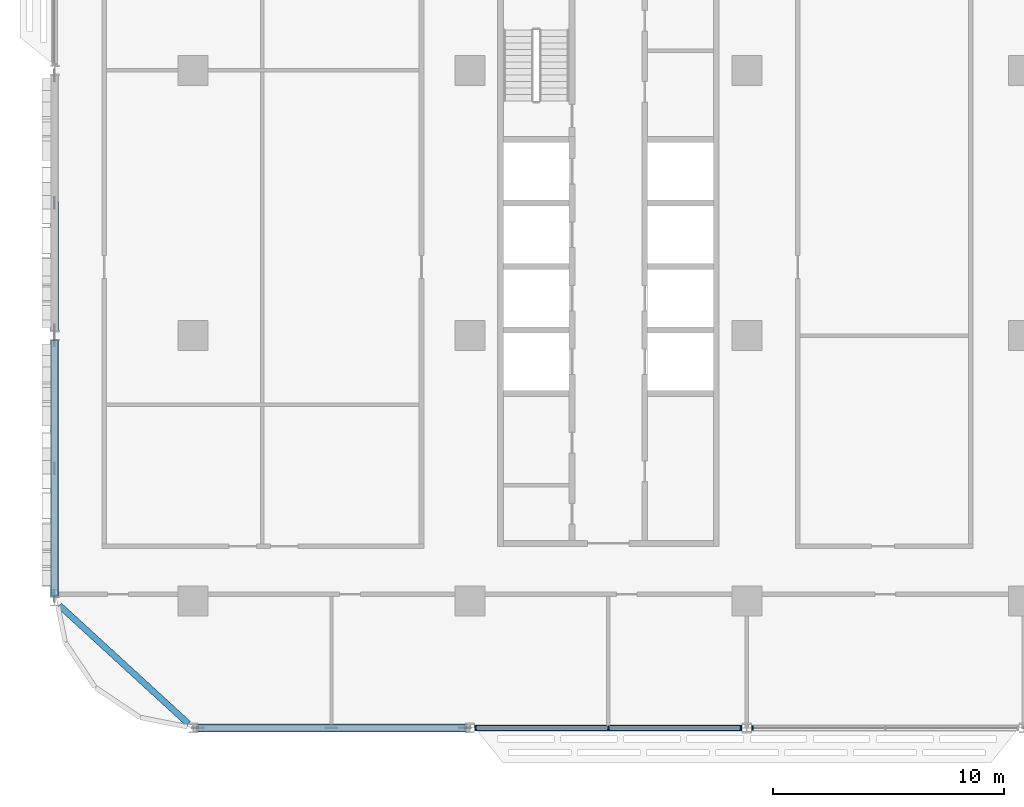
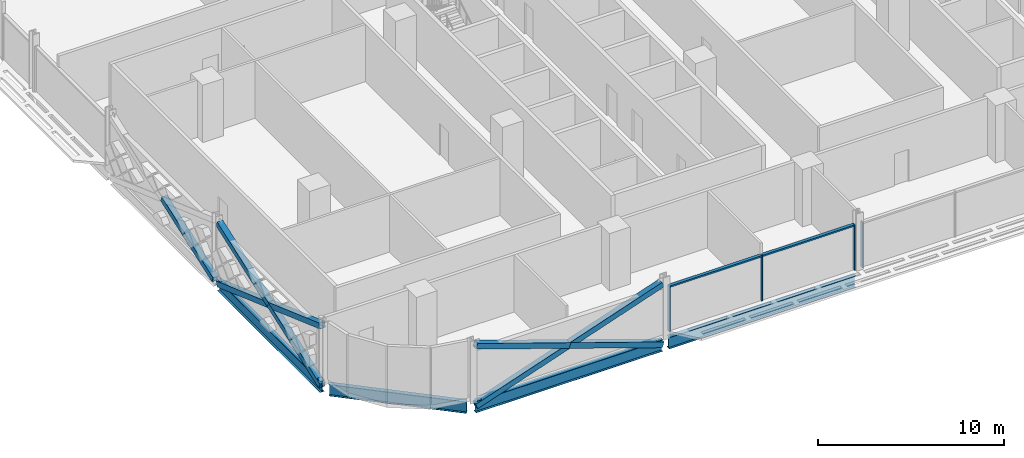
# One storey, part 3 of 28: 13 members, 4 beams, 2 elements without a shape of their own.
"""IFC4 building model written with IfcOpenShell, lengths in metres."""

from ifc_helpers import new_model, si_unit, direction, frame, origin, origin_2d, place, context, subcontext, project, spatial, rectangle, hollow_rectangle, i_section, extrude, material, material_profile, profile_set, type_object, element, aggregate, save


model = new_model("IFC4")

# Units and contexts
model_context = context("Model", 3, precision=1e-05, world=origin(), true_north=direction((0.0, 1.0)))
body_context = subcontext(model_context, "Body", "Model", "MODEL_VIEW")
ifc_project = project(units=[si_unit("LENGTHUNIT", "METRE"), si_unit("AREAUNIT", "SQUARE_METRE"), si_unit("VOLUMEUNIT", "CUBIC_METRE"), si_unit("PLANEANGLEUNIT", "RADIAN"), si_unit("MASSUNIT", "GRAM", prefix="KILO")], contexts=[model_context])

# Site, building, storey
site_placement = place(None, origin())
site = spatial("IfcSite", under=ifc_project, at=site_placement, CompositionType="ELEMENT")
building_placement = place(site_placement, origin())
building = spatial("IfcBuilding", under=site, at=building_placement, Name="Mahtab Terrace Research Tower", CompositionType="ELEMENT")
storey_placement = place(building_placement, frame((0.0, 0.0, 134.300048828125)))
storey = spatial("IfcBuildingStorey", under=building, at=storey_placement, Name="L31", CompositionType="ELEMENT", Elevation=134.300048828125)

# Members
ifc_material_1 = material(Name="Steel ASTM A500 Gr C", Category="steel")
ifc_material_profile_1 = material_profile(ifc_material_1, hollow_rectangle(XDim=0.355712890625, YDim=0.355712890625, WallThickness=0.01904296875, at=origin_2d()), Name="HSS14X14X3/4")
ifc_profile_set_1 = profile_set([ifc_material_profile_1], Name="Steel ASTM A500 Gr C")
member_type_1 = type_object("IfcMemberType", Name="HSS 14x14x3/4 brace XB141434", PredefinedType="BRACE", material=ifc_profile_set_1)
member_1_placement = place(storey_placement, frame((-48.0, 0.217041015625, -0.64111328125), z_axis=(0.0, 0.941925134484, 0.335822931061), x_axis=(-1.0, 0.0, 0.0)))
element("IfcMember", 1, at=member_1_placement, inside=storey, type_object=member_type_1, Name="Exoskeleton brace L31 11 b1", PredefinedType="BRACE", context=body_context, shape_type="SweptSolid", body=[
    extrude(hollow_rectangle(XDim=0.355712890625, YDim=0.355712890625, WallThickness=0.01904296875, at=origin_2d()), origin(), (0.0, 0.0, 1.0), 5.8740234375),
])
member_2_placement = place(storey_placement, frame((-48.0, -0.217041015625, -0.64111328125), z_axis=(0.0, -0.941925134484, 0.335822931061), x_axis=(1.0, 0.0, 0.0)))
element("IfcMember", 2, at=member_2_placement, inside=storey, type_object=member_type_1, Name="Exoskeleton brace L31 12 a", PredefinedType="BRACE", context=body_context, shape_type="SweptSolid", body=[
    extrude(hollow_rectangle(XDim=0.355712890625, YDim=0.355712890625, WallThickness=0.01904296875, at=origin_2d()), origin(), (0.0, 0.0, 1.0), 11.748291015625),
])
for number, where, z_axis, x_axis, name in (
    (3, (-48.0, -11.282958984375, -0.64111328125), (0.0, 0.941925134484, 0.335822931061), (-1.0, 0.0, 0.0), "Exoskeleton brace L31 12 b1"),
    (4, (-48.0, -5.75, 1.33154296875), (0.0, 0.941925134484, 0.335822931061), (-1.0, 0.0, 0.0), "Exoskeleton brace L31 12 b2"),
):
    element("IfcMember", number, at=place(storey_placement, frame(where, z_axis=z_axis, x_axis=x_axis)), inside=storey, type_object=member_type_1, Name=name, PredefinedType="BRACE", context=body_context, shape_type="SweptSolid", body=[
        extrude(hollow_rectangle(XDim=0.355712890625, YDim=0.355712890625, WallThickness=0.01904296875, at=origin_2d()), origin(), (0.0, 0.0, 1.0), 5.8740234375),
    ])
member_3_placement = place(storey_placement, frame((-41.794189453125, -17.0, -0.648193359375), z_axis=(0.946288278, 0.0, 0.323324132908), x_axis=(0.0, 1.0, 0.0)))
element("IfcMember", 5, at=member_3_placement, inside=storey, type_object=member_type_1, Name="Exoskeleton brace L31 14 a", PredefinedType="BRACE", context=body_context, shape_type="SweptSolid", body=[
    extrude(hollow_rectangle(XDim=0.355712890625, YDim=0.355712890625, WallThickness=0.01904296875, at=origin_2d()), origin(), (0.0, 0.0, 1.0), 12.24609375),
])
for number, where, z_axis, x_axis, name in (
    (6, (-30.205810546875, -17.0, -0.648193359375), (-0.946288278, 0.0, 0.323324132908), (0.0, -1.0, 0.0), "Exoskeleton brace L31 14 b1"),
    (7, (-36.0, -17.0, 1.33154296875), (-0.946288278, 0.0, 0.323324132908), (0.0, -1.0, 0.0), "Exoskeleton brace L31 14 b2"),
):
    element("IfcMember", number, at=place(storey_placement, frame(where, z_axis=z_axis, x_axis=x_axis)), inside=storey, type_object=member_type_1, Name=name, PredefinedType="BRACE", context=body_context, shape_type="SweptSolid", body=[
        extrude(hollow_rectangle(XDim=0.355712890625, YDim=0.355712890625, WallThickness=0.01904296875, at=origin_2d()), origin(), (0.0, 0.0, 1.0), 6.123046875),
    ])

# Curtain wall, members
ifc_material_2 = material(Name="Laboratory ribbon curtain wall")
curtain_wall_type = type_object("IfcCurtainWallType", Name="Laboratory ribbon curtain wall", PredefinedType="NOTDEFINED", material=ifc_material_2)
curtain_wall_1_placement = place(storey_placement, origin())
curtain_wall_1 = element("IfcCurtainWall", 8, at=curtain_wall_1_placement, inside=storey, type_object=curtain_wall_type, Name="EN.L31.13.25", PredefinedType="NOTDEFINED")
ifc_material_3 = material(Name="Natural anodised aluminium", Category="aluminium")
ifc_material_profile_2 = material_profile(ifc_material_3, rectangle(XDim=0.199951171875, YDim=0.06494140625, at=origin_2d()), Name="MULLION 65x200")
ifc_profile_set_2 = profile_set([ifc_material_profile_2], Name="Natural anodised aluminium")
member_type_2 = type_object("IfcMemberType", Name="Laboratory ribbon curtain wall mullion", PredefinedType="MULLION", material=ifc_profile_set_2)
member_4_placement = place(storey_placement, frame((-29.74951171875, -17.0, 0.0), z_axis=(0.0, 0.0, 1.0), x_axis=(0.0, 1.0, 0.0)))
member_4 = element("IfcMember", 9, at=member_4_placement, type_object=member_type_2, Name="CWL-4 mullion 1", PredefinedType="MULLION", context=body_context, shape_type="SweptSolid", body=[
    extrude(rectangle(XDim=0.199951171875, YDim=0.06494140625, at=origin_2d()), origin(), (0.0, 0.0, 1.0), 3.0029296875),
])
member_5_placement = place(storey_placement, frame((-24.0, -17.0, 0.0), z_axis=(0.0, 0.0, 1.0), x_axis=(0.0, 1.0, 0.0)))
member_5 = element("IfcMember", 10, at=member_5_placement, type_object=member_type_2, Name="CWL-4 mullion 2", PredefinedType="MULLION", context=body_context, shape_type="SweptSolid", body=[
    extrude(rectangle(XDim=0.199951171875, YDim=0.06494140625, at=origin_2d()), origin(), (0.0, 0.0, 1.0), 3.0029296875),
])
member_6_placement = place(storey_placement, frame((-18.25048828125, -17.0, 0.0), z_axis=(0.0, 0.0, 1.0), x_axis=(0.0, 1.0, 0.0)))
member_6 = element("IfcMember", 11, at=member_6_placement, type_object=member_type_2, Name="CWL-4 mullion 3", PredefinedType="MULLION", context=body_context, shape_type="SweptSolid", body=[
    extrude(rectangle(XDim=0.199951171875, YDim=0.06494140625, at=origin_2d()), origin(), (0.0, 0.0, 1.0), 3.0029296875),
])

# Curtain wall, member
curtain_wall_2_placement = place(storey_placement, origin())
curtain_wall_2 = element("IfcCurtainWall", 12, at=curtain_wall_2_placement, inside=storey, type_object=curtain_wall_type, Name="EN.L31.13.26", PredefinedType="NOTDEFINED")
member_7_placement = place(storey_placement, frame((-17.74951171875, -17.0, 0.0), z_axis=(0.0, 0.0, 1.0), x_axis=(0.0, 1.0, 0.0)))
member_7 = element("IfcMember", 13, at=member_7_placement, type_object=member_type_2, Name="CWL-4 mullion 1", PredefinedType="MULLION", context=body_context, shape_type="SweptSolid", body=[
    extrude(rectangle(XDim=0.199951171875, YDim=0.06494140625, at=origin_2d()), origin(), (0.0, 0.0, 1.0), 3.0029296875),
])
aggregate(curtain_wall_2, [member_7])

# Member
ifc_material_profile_3 = material_profile(ifc_material_3, rectangle(XDim=0.199951171875, YDim=0.10009765625, at=origin_2d()), Name="TRANSOM 100x200")
ifc_profile_set_3 = profile_set([ifc_material_profile_3], Name="Natural anodised aluminium")
member_type_3 = type_object("IfcMemberType", Name="Laboratory ribbon curtain wall transom", PredefinedType="USERDEFINED", material=ifc_profile_set_3)
member_8_placement = place(storey_placement, frame((-29.717041015625, -17.0, 2.953125), z_axis=(1.0, 0.0, 0.0), x_axis=(0.0, 1.0, 0.0)))
member_8 = element("IfcMember", 14, at=member_8_placement, type_object=member_type_3, Name="CWL-4 transom 1", ObjectType="TRANSOM", PredefinedType="USERDEFINED", context=body_context, shape_type="SweptSolid", body=[
    extrude(rectangle(XDim=0.199951171875, YDim=0.10009765625, at=origin_2d()), origin(), (0.0, 0.0, 1.0), 5.6845703125),
])

member_9_placement = place(storey_placement, frame((-23.967529296875, -17.0, 2.953125), z_axis=(1.0, 0.0, 0.0), x_axis=(0.0, 1.0, 0.0)))
member_9 = element("IfcMember", 15, at=member_9_placement, type_object=member_type_3, Name="CWL-4 transom 2", ObjectType="TRANSOM", PredefinedType="USERDEFINED", context=body_context, shape_type="SweptSolid", body=[
    extrude(rectangle(XDim=0.199951171875, YDim=0.10009765625, at=origin_2d()), origin(), (0.0, 0.0, 1.0), 5.6845703125),
])

aggregate(curtain_wall_1, [member_4, member_5, member_6, member_8, member_9])

# Beams
ifc_material_4 = material(Name="Steel ASTM A992 Gr 50", Category="steel")
ifc_material_profile_4 = material_profile(ifc_material_4, i_section(OverallWidth=0.2666015625, OverallDepth=0.7568359375, WebThickness=0.013916015625, FlangeThickness=0.019287109375, at=origin_2d()), Name="W30X108")
ifc_profile_set_4 = profile_set([ifc_material_profile_4], Name="Steel ASTM A992 Gr 50")
beam_type = type_object("IfcBeamType", Name="W30x108 beam BS30108", PredefinedType="BEAM", material=ifc_profile_set_4)
beam_1_placement = place(storey_placement, frame((-48.0, -0.217041015625, -0.718505859375), z_axis=(0.0, -1.0, 0.0), x_axis=(1.0, 0.0, 0.0)))
element("IfcBeam", 16, at=beam_1_placement, inside=storey, type_object=beam_type, Name="Spandrel beam L31 12", PredefinedType="BEAM", context=body_context, shape_type="SweptSolid", body=[
    extrude(i_section(OverallWidth=0.2666015625, OverallDepth=0.7568359375, WebThickness=0.013916015625, FlangeThickness=0.019287109375, at=origin_2d()), origin(), (0.0, 0.0, 1.0), 11.06591796875),
])
beam_2_placement = place(storey_placement, frame((-47.794189453125, -11.688720703125, -0.718505859375), z_axis=(0.737162160905, -0.675715878554, 0.0), x_axis=(0.675715878554, 0.737162160905, 0.0)))
element("IfcBeam", 17, at=beam_2_placement, inside=storey, type_object=beam_type, Name="Spandrel beam L31 13", PredefinedType="BEAM", context=body_context, shape_type="SweptSolid", body=[
    extrude(i_section(OverallWidth=0.2666015625, OverallDepth=0.7568359375, WebThickness=0.013916015625, FlangeThickness=0.019287109375, at=origin_2d()), origin(), (0.0, 0.0, 1.0), 7.5810546875),
])
for number, where, z_axis, x_axis, name in (
    (18, (-41.794189453125, -17.0, -0.718505859375), (1.0, 0.0, 0.0), (0.0, 1.0, 0.0), "Spandrel beam L31 14"),
    (19, (-29.794189453125, -17.0, -0.718505859375), (1.0, 0.0, 0.0), (0.0, 1.0, 0.0), "Spandrel beam L31 15"),
):
    element("IfcBeam", number, at=place(storey_placement, frame(where, z_axis=z_axis, x_axis=x_axis)), inside=storey, type_object=beam_type, Name=name, PredefinedType="BEAM", context=body_context, shape_type="SweptSolid", body=[
        extrude(i_section(OverallWidth=0.2666015625, OverallDepth=0.7568359375, WebThickness=0.013916015625, FlangeThickness=0.019287109375, at=origin_2d()), origin(), (0.0, 0.0, 1.0), 11.58837890625),
    ])

save(model, "model.ifc")
